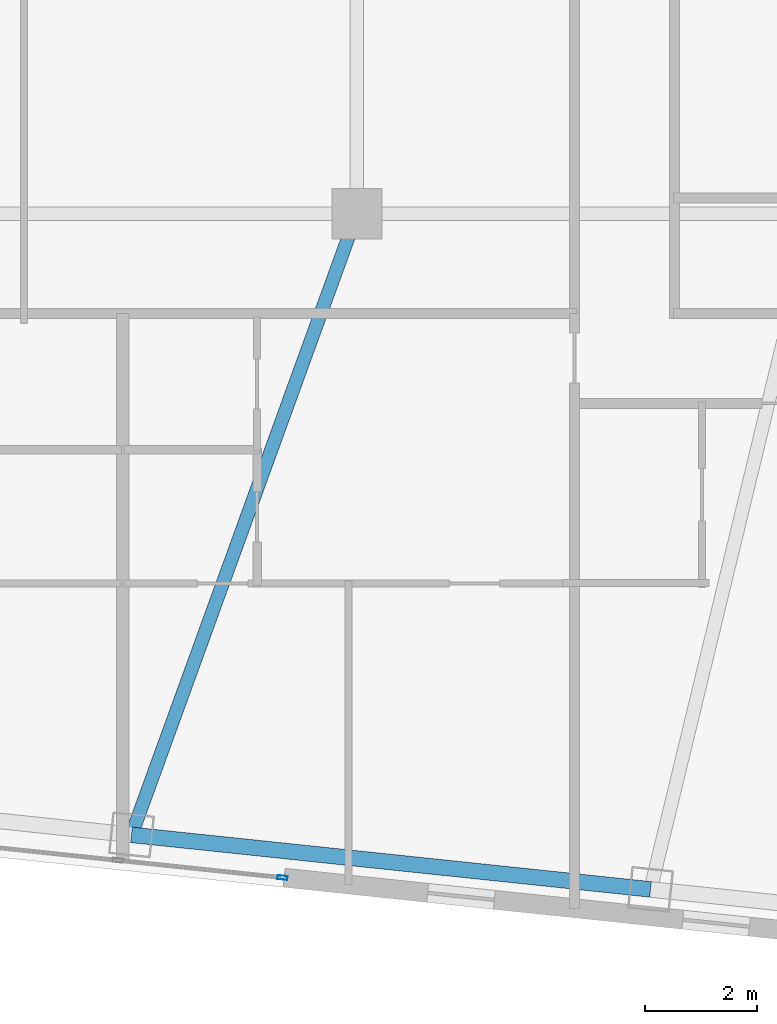
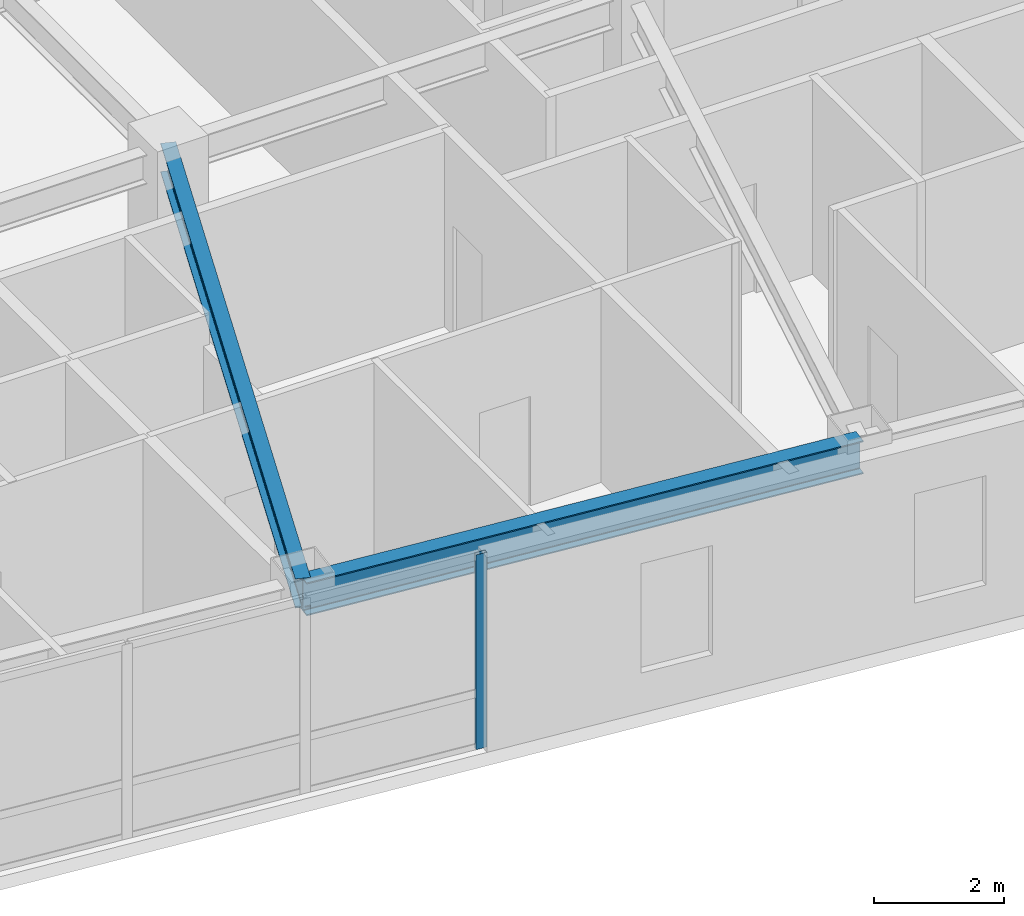
# One storey, part 6 of 23: 2 beams, 1 member, 1 element without a shape of its own.
"""IFC4 building model written with IfcOpenShell, lengths in metres."""

from ifc_helpers import new_model, si_unit, direction, frame, origin, origin_2d, place, context, subcontext, project, spatial, hollow_rectangle, i_section, extrude, material, layer, layer_set, material_profile, profile_set, type_object, element, aggregate, save


model = new_model("IFC4")

# Units and contexts
model_context = context("Model", 3, precision=1e-05, world=origin(), true_north=direction((0.0, 1.0)))
body_context = subcontext(model_context, "Body", "Model", "MODEL_VIEW")
ifc_project = project(units=[si_unit("LENGTHUNIT", "METRE"), si_unit("AREAUNIT", "SQUARE_METRE"), si_unit("VOLUMEUNIT", "CUBIC_METRE"), si_unit("PLANEANGLEUNIT", "RADIAN"), si_unit("MASSUNIT", "GRAM", prefix="KILO")], contexts=[model_context])

# Site, building, storey
site_placement = place(None, origin())
site = spatial("IfcSite", under=ifc_project, at=site_placement, CompositionType="ELEMENT")
building_placement = place(site_placement, origin())
building = spatial("IfcBuilding", under=site, at=building_placement, Name="Voryun Gate Residences", CompositionType="ELEMENT")
storey_placement = place(building_placement, frame((0.0, 0.0, 275.60009765625)))
storey = spatial("IfcBuildingStorey", under=building, at=storey_placement, Name="L68", CompositionType="ELEMENT", Elevation=275.60009765625)

# Beams
ifc_material_1 = material(Name="Steel SM355", Category="steel")
ifc_material_profile_1 = material_profile(ifc_material_1, i_section(OverallWidth=0.280029296875, OverallDepth=0.6201171875, WebThickness=0.013916015625, FlangeThickness=0.02197265625, FilletRadius=0.01806640625, at=origin_2d()), Name="H-620x280x14x22")
ifc_profile_set_1 = profile_set([ifc_material_profile_1], Name="Steel SM355")
beam_type_1 = type_object("IfcBeamType", Name="BM_EXO_SPANDREL_H", PredefinedType="SPANDREL", material=ifc_profile_set_1)
beam_1_placement = place(storey_placement, frame((0.1572265625, -18.539794921875, 3.33984375), z_axis=(0.994523018663, -0.104517775278, 0.0), x_axis=(0.104517775278, 0.994523018663, 0.0)))
element("IfcBeam", 1, at=beam_1_placement, inside=storey, type_object=beam_type_1, Name="BM-L68-SPAND-04", PredefinedType="SPANDREL", context=body_context, shape_type="SweptSolid", body=[
    extrude(i_section(OverallWidth=0.280029296875, OverallDepth=0.6201171875, WebThickness=0.013916015625, FlangeThickness=0.02197265625, FilletRadius=0.01806640625, at=origin_2d()), origin(), (0.0, 0.0, 1.0), 9.35986328125),
])
ifc_material_2 = material(Name="Steel SM355", Category="steel")
ifc_material_profile_2 = material_profile(ifc_material_2, i_section(OverallWidth=0.239990234375, OverallDepth=0.550048828125, WebThickness=0.011962890625, FlangeThickness=0.02001953125, FilletRadius=0.01806640625, at=origin_2d()), Name="H-550x240x12x20")
ifc_profile_set_2 = profile_set([ifc_material_profile_2], Name="Steel SM355")
beam_type_2 = type_object("IfcBeamType", Name="BM_GIRD_550", PredefinedType="USERDEFINED", material=ifc_profile_set_2)
beam_2_placement = place(storey_placement, frame((4.199951171875, -7.39990234375, 3.375), z_axis=(-0.341135931896, -0.940013976476, 0.0), x_axis=(0.940013976476, -0.341135931896, 0.0)))
element("IfcBeam", 2, at=beam_2_placement, inside=storey, type_object=beam_type_2, Name="BM-L68-RAD-S4", ObjectType="GIRDER", PredefinedType="USERDEFINED", context=body_context, shape_type="SweptSolid", body=[
    extrude(i_section(OverallWidth=0.239990234375, OverallDepth=0.550048828125, WebThickness=0.011962890625, FlangeThickness=0.02001953125, FilletRadius=0.01806640625, at=origin_2d()), origin(), (0.0, 0.0, 1.0), 11.850830078125),
])

# Curtain wall, member
ifc_material_3 = material(Name="Anodised aluminium", Category="aluminium")
ifc_layer = layer(ifc_material_3, 0.18994140625, Name="CW_SYS_RES_B_DARK_GLASS")
ifc_layer_set = layer_set([ifc_layer], Name="Anodised aluminium")
curtain_wall_type = type_object("IfcCurtainWallType", Name="CW_SYS_RES_B_DARK_GLASS", PredefinedType="NOTDEFINED", material=ifc_layer_set)
curtain_wall_placement = place(storey_placement, origin())
curtain_wall = element("IfcCurtainWall", 3, at=curtain_wall_placement, inside=storey, type_object=curtain_wall_type, Name="Curtain wall CWT-L68-01", PredefinedType="NOTDEFINED")
ifc_material_4 = material(Name="Anodised aluminium", Category="aluminium")
ifc_material_profile_3 = material_profile(ifc_material_4, hollow_rectangle(XDim=0.070068359375, YDim=0.179931640625, WallThickness=0.00390625, at=origin_2d()), Name="ALU-MULL-180x70x4")
ifc_profile_set_3 = profile_set([ifc_material_profile_3], Name="Anodised aluminium")
member_type = type_object("IfcMemberType", Name="CW_MULL_RES", PredefinedType="MULLION", material=ifc_profile_set_3)
member_placement = place(storey_placement, frame((2.864501953125, -19.306884765625, 0.0), z_axis=(0.0, 0.0, 1.0), x_axis=(-0.104528604386, -0.994521880536, 0.0)))
member = element("IfcMember", 4, at=member_placement, type_object=member_type, Name="CW4 mullion 1", PredefinedType="MULLION", context=body_context, shape_type="SweptSolid", body=[
    extrude(hollow_rectangle(XDim=0.070068359375, YDim=0.179931640625, WallThickness=0.00390625, at=origin_2d()), origin(), (0.0, 0.0, 1.0), 3.64990234375),
])
aggregate(curtain_wall, [member])

save(model, "model.ifc")
